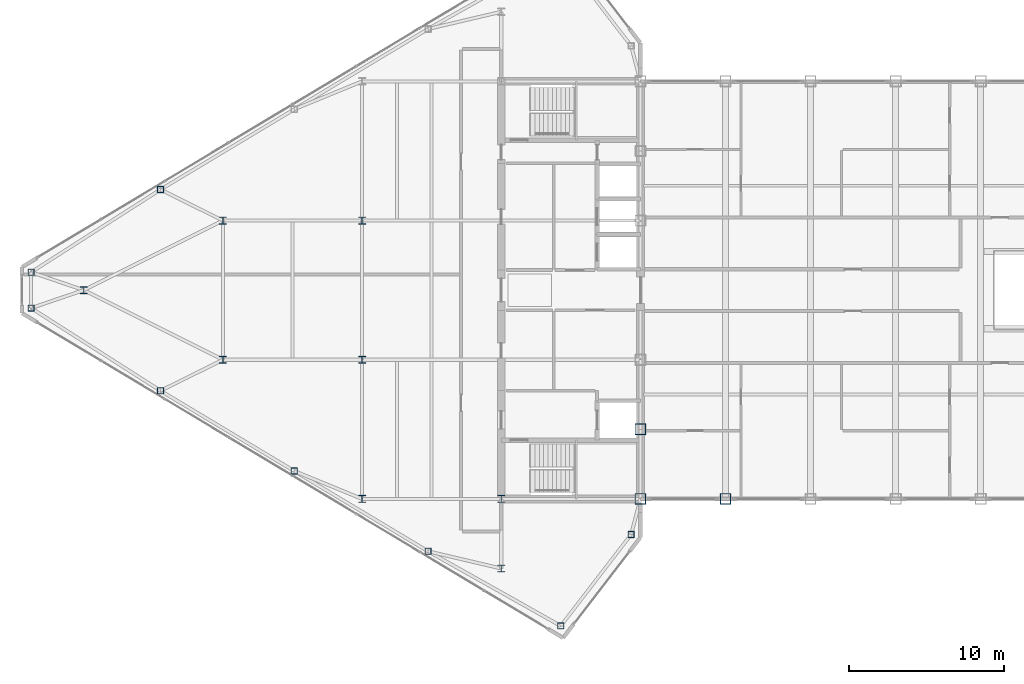
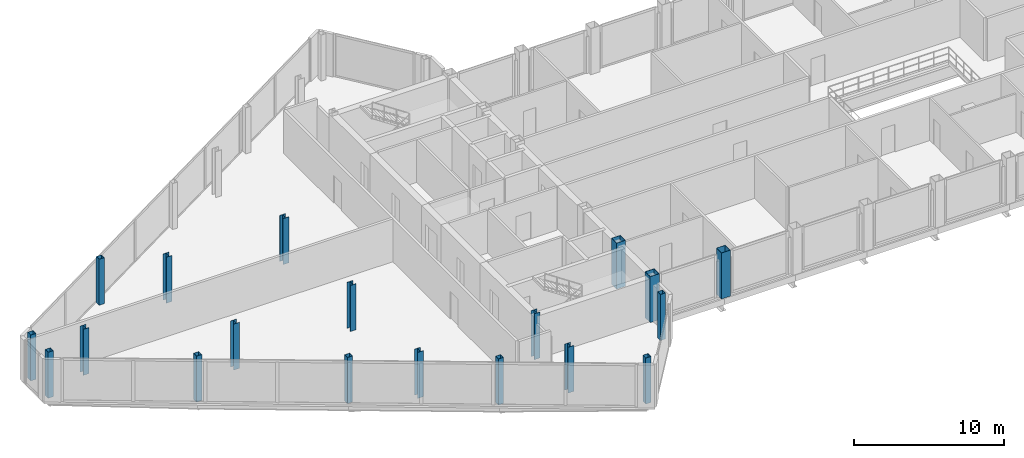
# One storey, part 1 of 28: 19 columns.
"""IFC4 building model written with IfcOpenShell, lengths in metres."""

import ifcopenshell
import ifcopenshell.guid

model = None  # the IFC model being written
_history = None  # IfcOwnerHistory: only IFC2X3 demands one
_inside = {}  # id of a spatial element -> (the spatial element, [elements in it])
_under = {}  # id of a project, library or spatial element -> (it, [spatial elements below it])
_declared = {}  # id of a project -> (the project, [libraries it declares])
_typed = {}  # id of a type object -> (the type object, [elements of that type])
_made_of = {}  # id of a material, layer set ... -> (it, [elements and type objects made of it])


def new_model(schema):
    """Start an empty IFC model of exactly this schema.

    Asked for "IFC4X3", IfcOpenShell would pick the latest addendum, in which some entities
    have other attributes; the version numbers below select the first issue.
    IFC2X3 requires an IfcOwnerHistory on every rooted entity: one is made here for all.
    """
    global model, _history
    if schema == "IFC4X3":
        model = ifcopenshell.file(schema_version=(4, 3, 0, 0))
    else:
        model = ifcopenshell.file(schema=schema)
    _inside.clear()
    _under.clear()
    _declared.clear()
    _typed.clear()
    _made_of.clear()
    _history = None
    if model.schema == "IFC2X3":
        org = make("IfcOrganization", Name="unknown")
        user = make(
            "IfcPersonAndOrganization",
            ThePerson=make("IfcPerson", FamilyName="unknown"),
            TheOrganization=org,
        )
        app = make(
            "IfcApplication",
            ApplicationDeveloper=org,
            Version="unknown",
            ApplicationFullName="unknown",
            ApplicationIdentifier="unknown",
        )
        _history = make(
            "IfcOwnerHistory",
            OwningUser=user,
            OwningApplication=app,
            ChangeAction="ADDED",
            CreationDate=0,
        )
    return model


def make(cls, **values):
    """One entity of the class cls with the attributes given. An attribute that is None is left unset."""
    return model.create_entity(
        cls, **{name: value for name, value in values.items() if value is not None}
    )


def rooted(cls, **values):
    """An entity with a GlobalId (a new one), such as an element, a storey or a relation."""
    return make(cls, GlobalId=ifcopenshell.guid.new(), OwnerHistory=_history, **values)


def si_unit(unit_type, name, prefix=None):
    """IfcSIUnit, for example si_unit("LENGTHUNIT", "METRE", prefix="MILLI")."""
    return make("IfcSIUnit", UnitType=unit_type, Prefix=prefix, Name=name)


def assignment(units):
    """IfcUnitAssignment: the units of a project."""
    return None if units is None else make("IfcUnitAssignment", Units=units)


def point(xyz):
    """IfcCartesianPoint."""
    return None if xyz is None else make("IfcCartesianPoint", Coordinates=xyz)


def direction(xyz):
    """IfcDirection."""
    return None if xyz is None else make("IfcDirection", DirectionRatios=xyz)


def frame(location, z_axis=None, x_axis=None):
    """IfcAxis2Placement3D, a coordinate frame: its origin and axes. An axis left out is left unset."""
    return make(
        "IfcAxis2Placement3D",
        Location=point(location),
        Axis=direction(z_axis),
        RefDirection=direction(x_axis),
    )


def frame_2d(location, x_axis=None):
    """IfcAxis2Placement2D, a coordinate frame in the plane: its origin and x axis."""
    return make(
        "IfcAxis2Placement2D", Location=point(location), RefDirection=direction(x_axis)
    )


def origin():
    """The frame at (0, 0, 0) with its axes left unset."""
    return frame((0.0, 0.0, 0.0))


def origin_2d():
    """The frame at (0, 0) in the plane with its x axis left unset."""
    return frame_2d((0.0, 0.0))


def place(relative_to, where):
    """IfcLocalPlacement: puts the frame where relative to a parent placement (None: the world)."""
    return make(
        "IfcLocalPlacement", PlacementRelTo=relative_to, RelativePlacement=where
    )


def context(
    kind, dimensions, precision=None, world=None, true_north=None, identifier=None
):
    """IfcGeometricRepresentationContext, for example the 3D "Model" context."""
    return make(
        "IfcGeometricRepresentationContext",
        ContextIdentifier=identifier,
        ContextType=kind,
        CoordinateSpaceDimension=dimensions,
        Precision=precision,
        WorldCoordinateSystem=world,
        TrueNorth=true_north,
    )


def subcontext(parent, identifier, kind, view, scale=None):
    """IfcGeometricRepresentationSubContext, for example "Body" below "Model"."""
    return make(
        "IfcGeometricRepresentationSubContext",
        ContextIdentifier=identifier,
        ContextType=kind,
        ParentContext=parent,
        TargetScale=scale,
        TargetView=view,
    )


def project(units=None, contexts=None):
    """IfcProject with its units and contexts."""
    return rooted(
        "IfcProject",
        Name="project",
        RepresentationContexts=contexts,
        UnitsInContext=assignment(units),
    )


def spatial(cls, under=None, at=None, **own):
    """A site, building, storey or space (cls), placed at a placement, below another one or the project."""
    s = rooted(cls, ObjectPlacement=at, **own)
    if under is not None:
        _under.setdefault(under.id(), (under, []))[1].append(s)
    return s


def profile(cls, at=None, kind="AREA", **sizes):
    """A parametric profile (cls). Its sizes go by their IFC names, for example OverallWidth=200.0."""
    return make(cls, ProfileType=kind, Position=at, **sizes)


def hollow_rectangle(**sizes):
    """IfcRectangleHollowProfileDef."""
    return profile("IfcRectangleHollowProfileDef", **sizes)


def i_section(**sizes):
    """IfcIShapeProfileDef."""
    return profile("IfcIShapeProfileDef", **sizes)


def extrude(swept, where, along, depth):
    """IfcExtrudedAreaSolid: the profile swept, set in the frame where, extruded along a direction by depth."""
    return make(
        "IfcExtrudedAreaSolid",
        SweptArea=swept,
        Position=where,
        ExtrudedDirection=direction(along),
        Depth=depth,
    )


def shape(context_of_items, identifier, shape_type, items):
    """IfcShapeRepresentation: the items that make up one representation, for example the "Body"."""
    return make(
        "IfcShapeRepresentation",
        ContextOfItems=context_of_items,
        RepresentationIdentifier=identifier,
        RepresentationType=shape_type,
        Items=items,
    )


def source(mapping_origin, context_of_items, identifier, shape_type, items):
    """IfcRepresentationMap: a shape defined once, which mapped items show again and again."""
    return make(
        "IfcRepresentationMap",
        MappingOrigin=mapping_origin,
        MappedRepresentation=shape(context_of_items, identifier, shape_type, items),
    )


def transform(
    local_origin,
    x_axis=None,
    y_axis=None,
    z_axis=None,
    scale=None,
    scale2=None,
    scale3=None,
    uniform=True,
):
    """IfcCartesianTransformationOperator3D, or its non-uniform kind. x_axis, y_axis, z_axis: its Axis1, 2, 3."""
    if uniform:
        return make(
            "IfcCartesianTransformationOperator3D",
            Axis1=direction(x_axis),
            Axis2=direction(y_axis),
            LocalOrigin=point(local_origin),
            Scale=scale,
            Axis3=direction(z_axis),
        )
    return make(
        "IfcCartesianTransformationOperator3DnonUniform",
        Axis1=direction(x_axis),
        Axis2=direction(y_axis),
        LocalOrigin=point(local_origin),
        Scale=scale,
        Axis3=direction(z_axis),
        Scale2=scale2,
        Scale3=scale3,
    )


def mapped(mapping_source, mapping_target):
    """IfcMappedItem: shows the shape of a source again, moved by a transform."""
    return make(
        "IfcMappedItem", MappingSource=mapping_source, MappingTarget=mapping_target
    )


def material(Name=None, Category=None):
    """IfcMaterial."""
    return make("IfcMaterial", Name=Name, Category=Category)


def material_profile(
    of_material, cross_section, Name=None, Category=None, Priority=None
):
    """IfcMaterialProfile: a cross section and its material."""
    return make(
        "IfcMaterialProfile",
        Name=Name,
        Material=of_material,
        Profile=cross_section,
        Priority=Priority,
        Category=Category,
    )


def profile_set(profiles, Name=None, composite=None):
    """IfcMaterialProfileSet."""
    return make(
        "IfcMaterialProfileSet",
        Name=Name,
        MaterialProfiles=profiles,
        CompositeProfile=composite,
    )


def made_of(thing, what):
    """Note that an element or type object is made of a material, layer set ...; save() writes the relation."""
    if what is not None:
        _made_of.setdefault(what.id(), (what, []))[1].append(thing)
    return thing


def type_object(cls, material=None, **own):
    """A type object (cls), such as IfcWallType, which elements share."""
    return made_of(rooted(cls, **own), material)


def type_shapes(of_type, sources):
    """Give a type object the sources (RepresentationMaps) that its elements show as mapped items."""
    of_type.RepresentationMaps = sources


def element(
    cls,
    number,
    at=None,
    inside=None,
    cuts=None,
    type_object=None,
    material=None,
    context=None,
    identifier="Body",
    shape_type=None,
    held_by="IfcProductDefinitionShape",
    body=None,
    shapes=None,
    **own,
):
    """One element of the class cls, such as IfcWall. Its Tag is "e" and its number.

    at: its placement. inside: the storey or other place that contains it. cuts: it is an
    opening in that element (IfcRelVoidsElement). A single representation is given by context,
    identifier, shape_type and body (its items); several are given by shapes. held_by: the class
    of the entity that holds the representations. save() writes the other relations.
    """
    e = rooted(cls, Tag="e%d" % number, ObjectPlacement=at, **own)
    if body is not None:
        shapes = [shape(context, identifier, shape_type, body)]
    if shapes is not None:
        e.Representation = make(held_by, Representations=shapes)
    if inside is not None:
        _inside.setdefault(inside.id(), (inside, []))[1].append(e)
    if cuts is not None:
        rooted(
            "IfcRelVoidsElement", RelatingBuildingElement=cuts, RelatedOpeningElement=e
        )
    if type_object is not None:
        _typed.setdefault(type_object.id(), (type_object, []))[1].append(e)
    return made_of(e, material)


def aggregate(whole, parts):
    """IfcRelAggregates: a whole, such as a stair, and the parts it consists of."""
    return rooted("IfcRelAggregates", RelatingObject=whole, RelatedObjects=parts)


def save(model, path):
    """Write the relations noted so far, then the file.

    IfcRelAggregates (storeys below a building ...), IfcRelContainedInSpatialStructure (elements
    in a storey), IfcRelDefinesByType, IfcRelAssociatesMaterial and IfcRelDeclares: one each for
    every whole, place, type object, material and project.
    """
    for whole, parts in _under.values():
        aggregate(whole, parts)
    for where, things in _inside.values():
        rooted(
            "IfcRelContainedInSpatialStructure",
            RelatedElements=things,
            RelatingStructure=where,
        )
    for kind, things in _typed.values():
        rooted("IfcRelDefinesByType", RelatedObjects=things, RelatingType=kind)
    for what, things in _made_of.values():
        rooted("IfcRelAssociatesMaterial", RelatedObjects=things, RelatingMaterial=what)
    for by, libraries in _declared.values():
        rooted("IfcRelDeclares", RelatingContext=by, RelatedDefinitions=libraries)
    model.write(path)


model = new_model("IFC4")

# Units and contexts
model_context = context("Model", 3, precision=1e-05, world=origin(), true_north=direction((0.0, 1.0)))
body_context = subcontext(model_context, "Body", "Model", "MODEL_VIEW")
ifc_project = project(units=[si_unit("LENGTHUNIT", "METRE"), si_unit("AREAUNIT", "SQUARE_METRE"), si_unit("VOLUMEUNIT", "CUBIC_METRE"), si_unit("PLANEANGLEUNIT", "RADIAN"), si_unit("MASSUNIT", "GRAM", prefix="KILO")], contexts=[model_context])

# Site, building, storey
site_placement = place(None, origin())
site = spatial("IfcSite", under=ifc_project, at=site_placement, CompositionType="ELEMENT")
building_placement = place(site_placement, origin())
building = spatial("IfcBuilding", under=site, at=building_placement, Name="Seokmaru Belvedere", CompositionType="ELEMENT")
storey_placement = place(building_placement, frame((0.0, 0.0, 265.64990234375)))
storey = spatial("IfcBuildingStorey", under=building, at=storey_placement, Name="L70", CompositionType="ELEMENT", Elevation=265.64990234375)

# Columns
ifc_material = material(Name="Steel SM355 (355 MPa)", Category="steel")
ifc_material_profile_1 = material_profile(ifc_material, hollow_rectangle(XDim=0.699951171875, YDim=0.699951171875, WallThickness=0.030029296875, at=origin_2d()), Name="BOX-700x700x30")
ifc_profile_set_1 = profile_set([ifc_material_profile_1], Name="Steel SM355 (355 MPa)")
column_type_1 = type_object("IfcColumnType", Name="Upper Spine Column BOX-700", PredefinedType="COLUMN", material=ifc_profile_set_1)
shared_shape_1 = source(origin(), body_context, "Body", "SweptSolid", [
    extrude(hollow_rectangle(XDim=0.699951171875, YDim=0.699951171875, WallThickness=0.030029296875, at=origin_2d()), origin(), (0.0, 0.0, 1.0), 3.75),
])
type_shapes(column_type_1, [shared_shape_1])
for number, where, z_axis, x_axis, name in (
    (1, (-27.5, -13.5, 0.0), (0.0, 0.0, 1.0), (1.0, 0.0, 0.0), "L70 Column WS1"),
    (2, (-27.5, -9.0, 0.0), (0.0, 0.0, 1.0), (1.0, 0.0, 0.0), "L70 Column WS2"),
    (3, (-22.0, -13.5, 0.0), (0.0, 0.0, 1.0), (1.0, 0.0, 0.0), "L70 Column BRS_1"),
):
    element("IfcColumn", number, at=place(storey_placement, frame(where, z_axis=z_axis, x_axis=x_axis)), inside=storey, type_object=column_type_1, Name=name, PredefinedType="COLUMN", context=body_context, shape_type="MappedRepresentation", body=[
        mapped(shared_shape_1, transform((0.0, 0.0, 0.0), scale=1.0)),
    ])
ifc_material_profile_2 = material_profile(ifc_material, i_section(OverallWidth=0.449951171875, OverallDepth=0.449951171875, WebThickness=0.01611328125, FlangeThickness=0.02490234375, at=origin_2d()), Name="H-450x450x16x25")
ifc_profile_set_2 = profile_set([ifc_material_profile_2], Name="Steel SM355 (355 MPa)")
column_type_2 = type_object("IfcColumnType", Name="Sky-Gate Column H-450", PredefinedType="COLUMN", material=ifc_profile_set_2)
shared_shape_2 = source(origin(), body_context, "Body", "SweptSolid", [
    extrude(i_section(OverallWidth=0.449951171875, OverallDepth=0.449951171875, WebThickness=0.01611328125, FlangeThickness=0.02490234375, at=origin_2d()), origin(), (0.0, 0.0, 1.0), 3.75),
])
type_shapes(column_type_2, [shared_shape_2])
for number, where, z_axis, x_axis, name in (
    (4, (-36.5, -18.0, 0.0), (0.0, 0.0, 1.0), (1.0, 0.0, 0.0), "L70 Column WC1"),
    (5, (-36.5, -13.5, 0.0), (0.0, 0.0, 1.0), (1.0, 0.0, 0.0), "L70 Column WC2"),
    (6, (-45.5, -13.5, 0.0), (0.0, 0.0, 1.0), (1.0, 0.0, 0.0), "L70 Column WG5_1"),
    (7, (-45.5, -4.5, 0.0), (0.0, 0.0, 1.0), (1.0, 0.0, 0.0), "L70 Column WG5_2"),
    (8, (-45.5, 4.5, 0.0), (0.0, 0.0, 1.0), (1.0, 0.0, 0.0), "L70 Column WG5_3"),
    (9, (-54.5, -4.5, 0.0), (0.0, 0.0, 1.0), (1.0, 0.0, 0.0), "L70 Column WG4P_1"),
    (10, (-54.5, 4.5, 0.0), (0.0, 0.0, 1.0), (1.0, 0.0, 0.0), "L70 Column WG4P_2"),
    (11, (-63.5, 0.0, 0.0), (0.0, 0.0, 1.0), (1.0, 0.0, 0.0), "L70 Column WG3P_1"),
):
    element("IfcColumn", number, at=place(storey_placement, frame(where, z_axis=z_axis, x_axis=x_axis)), inside=storey, type_object=column_type_2, Name=name, PredefinedType="COLUMN", context=body_context, shape_type="MappedRepresentation", body=[
        mapped(shared_shape_2, transform((0.0, 0.0, 0.0), scale=1.0)),
    ])
ifc_material_profile_3 = material_profile(ifc_material, hollow_rectangle(XDim=0.39990234375, YDim=0.39990234375, WallThickness=0.01611328125, at=origin_2d()), Name="HSS-400x400x16")
ifc_profile_set_3 = profile_set([ifc_material_profile_3], Name="Steel SM355 (355 MPa)")
column_type_3 = type_object("IfcColumnType", Name="Perimeter Facet Column HSS-400", PredefinedType="COLUMN", material=ifc_profile_set_3)
shared_shape_3 = source(origin(), body_context, "Body", "SweptSolid", [
    extrude(hollow_rectangle(XDim=0.39990234375, YDim=0.39990234375, WallThickness=0.01611328125, at=origin_2d()), origin(), (0.0, 0.0, 1.0), 3.75),
])
type_shapes(column_type_3, [shared_shape_3])
for number, where, z_axis, x_axis, name in (
    (12, (-28.10009765625, -15.7958984375, 0.0), (0.0, 0.0, 1.0), (1.0, 0.0, 0.0), "L70 Column WF1"),
    (13, (-66.89990234375, 1.160400390625, 0.0), (0.0, 0.0, 1.0), (1.0, 0.0, 0.0), "L70 Column WF4"),
    (14, (-66.89990234375, -1.160400390625, 0.0), (0.0, 0.0, 1.0), (1.0, 0.0, 0.0), "L70 Column WF5"),
    (15, (-32.649658203125, -21.71044921875, 0.0), (0.0, 0.0, 1.0), (1.0, 0.0, 0.0), "L70 Column WF6"),
    (16, (-41.229736328125, -16.888916015625, 0.0), (0.0, 0.0, 1.0), (1.0, 0.0, 0.0), "L70 Column WFLK_S1"),
    (17, (-49.8798828125, -11.698974609375, 0.0), (0.0, 0.0, 1.0), (1.0, 0.0, 0.0), "L70 Column WFLK_S2"),
    (18, (-58.530029296875, -6.5087890625, 0.0), (0.0, 0.0, 1.0), (1.0, 0.0, 0.0), "L70 Column WFLK_S3"),
    (19, (-58.530029296875, 6.5087890625, 0.0), (0.0, 0.0, 1.0), (1.0, 0.0, 0.0), "L70 Column WFLK_N3"),
):
    element("IfcColumn", number, at=place(storey_placement, frame(where, z_axis=z_axis, x_axis=x_axis)), inside=storey, type_object=column_type_3, Name=name, PredefinedType="COLUMN", context=body_context, shape_type="MappedRepresentation", body=[
        mapped(shared_shape_3, transform((0.0, 0.0, 0.0), scale=1.0)),
    ])

save(model, "model.ifc")
